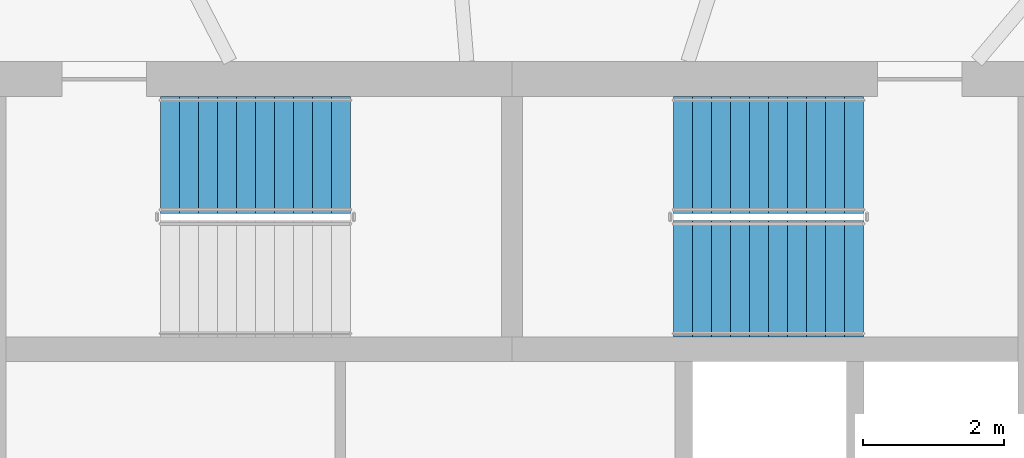
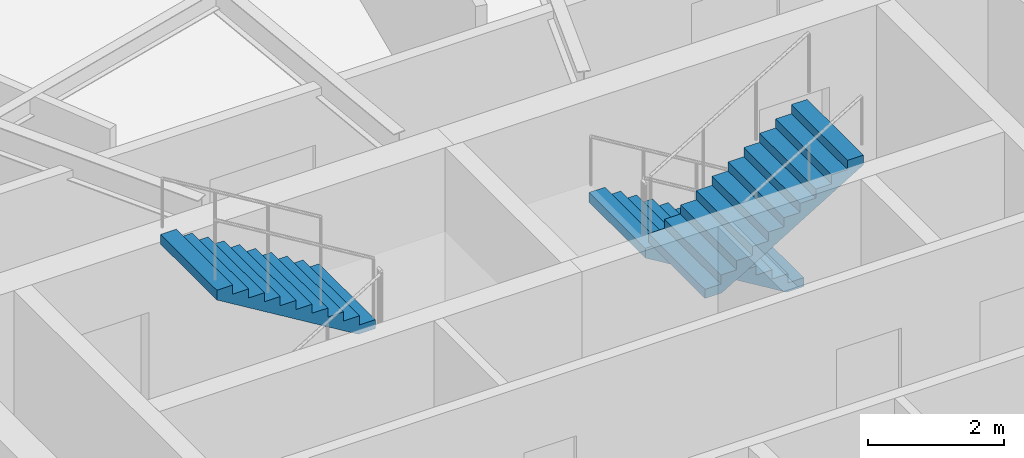
# One storey, part 10 of 13: 3 stair flights, 2 elements without a shape of their own.
"""IFC4 building model written with IfcOpenShell, lengths in metres."""

from ifc_helpers import new_model, si_unit, direction, frame, origin, place, context, subcontext, project, spatial, polyline, outline, extrude, material, type_object, element, aggregate, save


model = new_model("IFC4")

# Units and contexts
model_context = context("Model", 3, precision=1e-05, world=origin(), true_north=direction((0.0, 1.0)))
body_context = subcontext(model_context, "Body", "Model", "MODEL_VIEW")
ifc_project = project(units=[si_unit("LENGTHUNIT", "METRE"), si_unit("AREAUNIT", "SQUARE_METRE"), si_unit("VOLUMEUNIT", "CUBIC_METRE"), si_unit("PLANEANGLEUNIT", "RADIAN"), si_unit("MASSUNIT", "GRAM", prefix="KILO")], contexts=[model_context])

# Site, building, storey
site_placement = place(None, origin())
site = spatial("IfcSite", under=ifc_project, at=site_placement, CompositionType="ELEMENT")
building_placement = place(site_placement, origin())
building = spatial("IfcBuilding", under=site, at=building_placement, Name="Vermilion Reach Broadcast Tower", CompositionType="ELEMENT")
storey_placement = place(building_placement, frame((0.0, 0.0, 297.300048828125)))
storey = spatial("IfcBuildingStorey", under=building, at=storey_placement, Name="L74", CompositionType="ELEMENT", Elevation=297.300048828125)

# Stair, stair flight
ifc_material_1 = material(Name="Concrete C40", Category="concrete")
stair_type = type_object("IfcStairType", Name="Exit stair RC 22 risers 164 mm", PredefinedType="HALF_TURN_STAIR", material=ifc_material_1)
placement = place(storey_placement, origin())
stair_1 = element("IfcStair", 1, at=placement, inside=storey, type_object=stair_type, Name="L74 Exit stair ST1", PredefinedType="HALF_TURN_STAIR")
ifc_material_2 = material(Name="Concrete C40", Category="concrete")
stair_flight_type = type_object("IfcStairFlightType", Name="Exit stair flight RC 11 risers", PredefinedType="STRAIGHT", material=ifc_material_2)
stair_flight_1_placement = place(storey_placement, frame((-8.300048828125, 6.469970703125, 1.800048828125), z_axis=(0.0, 0.0, 1.0), x_axis=(-1.0, 0.0, 0.0)))
stair_flight_1 = element("IfcStairFlight", 2, at=stair_flight_1_placement, type_object=stair_flight_type, Name="ST1 flight 2", NumberOfRisers=11, NumberOfTreads=10, PredefinedType="STRAIGHT", RiserHeight=0.163636364, TreadLength=0.27, context=body_context, shape_type="SweptSolid", body=[
    extrude(outline(polyline([(0.0, 0.0), (0.0, 0.16357421875), (0.27001953125, 0.16357421875), (0.27001953125, 0.327392578125), (0.5400390625, 0.327392578125), (0.5400390625, 0.490966796875), (0.81005859375, 0.490966796875), (0.81005859375, 0.654541015625), (1.080078125, 0.654541015625), (1.080078125, 0.818115234375), (1.35009765625, 0.818115234375), (1.35009765625, 0.98193359375), (1.6201171875, 0.98193359375), (1.6201171875, 1.1455078125), (1.889892578125, 1.1455078125), (1.889892578125, 1.30908203125), (2.159912109375, 1.30908203125), (2.159912109375, 1.47265625), (2.429931640625, 1.47265625), (2.429931640625, 1.636474609375), (2.699951171875, 1.636474609375), (2.699951171875, 1.800048828125), (2.699951171875, 1.461181640625), (0.289306640625, 0.0), (0.0, 0.0)])), frame((0.0, 0.830078125, 0.0), z_axis=(0.0, -1.0, 0.0), x_axis=(1.0, 0.0, 0.0)), (0.0, 0.0, 1.0), 1.659912109375),
])
aggregate(stair_1, [stair_flight_1])

# Stair, stair flights
stair_2 = element("IfcStair", 3, at=placement, inside=storey, type_object=stair_type, Name="L74 Exit stair ST2", PredefinedType="HALF_TURN_STAIR")
stair_flight_2_placement = place(storey_placement, frame((-1.0, 6.469970703125, 0.0), z_axis=(0.0, 0.0, 1.0), x_axis=(-1.0, 0.0, 0.0)))
stair_flight_2 = element("IfcStairFlight", 4, at=stair_flight_2_placement, type_object=stair_flight_type, Name="ST2 flight 1", NumberOfRisers=11, NumberOfTreads=10, PredefinedType="STRAIGHT", RiserHeight=0.163636364, TreadLength=0.27, context=body_context, shape_type="SweptSolid", body=[
    extrude(outline(polyline([(0.0, 0.0), (0.0, 0.16357421875), (0.27001953125, 0.16357421875), (0.27001953125, 0.327392578125), (0.5400390625, 0.327392578125), (0.5400390625, 0.490966796875), (0.81005859375, 0.490966796875), (0.81005859375, 0.654541015625), (1.080078125, 0.654541015625), (1.080078125, 0.818115234375), (1.35009765625, 0.818115234375), (1.35009765625, 0.98193359375), (1.6201171875, 0.98193359375), (1.6201171875, 1.1455078125), (1.889892578125, 1.1455078125), (1.889892578125, 1.30908203125), (2.159912109375, 1.30908203125), (2.159912109375, 1.47265625), (2.429931640625, 1.47265625), (2.429931640625, 1.636474609375), (2.699951171875, 1.636474609375), (2.699951171875, 1.800048828125), (2.699951171875, 1.461181640625), (0.289306640625, 0.0), (0.0, 0.0)])), frame((0.0, 0.830078125, 0.0), z_axis=(0.0, -1.0, 0.0), x_axis=(1.0, 0.0, 0.0)), (0.0, 0.0, 1.0), 1.659912109375),
])
stair_flight_3_placement = place(storey_placement, frame((-3.699951171875, 4.7099609375, 1.800048828125), z_axis=(0.0, 0.0, 1.0), x_axis=(1.0, 0.0, 0.0)))
stair_flight_3 = element("IfcStairFlight", 5, at=stair_flight_3_placement, type_object=stair_flight_type, Name="ST2 flight 2", NumberOfRisers=11, NumberOfTreads=10, PredefinedType="STRAIGHT", RiserHeight=0.163636364, TreadLength=0.27, context=body_context, shape_type="SweptSolid", body=[
    extrude(outline(polyline([(0.0, 0.0), (0.0, 0.16357421875), (0.27001953125, 0.16357421875), (0.27001953125, 0.327392578125), (0.5400390625, 0.327392578125), (0.5400390625, 0.490966796875), (0.81005859375, 0.490966796875), (0.81005859375, 0.654541015625), (1.080078125, 0.654541015625), (1.080078125, 0.818115234375), (1.35009765625, 0.818115234375), (1.35009765625, 0.98193359375), (1.6201171875, 0.98193359375), (1.6201171875, 1.1455078125), (1.889892578125, 1.1455078125), (1.889892578125, 1.30908203125), (2.159912109375, 1.30908203125), (2.159912109375, 1.47265625), (2.429931640625, 1.47265625), (2.429931640625, 1.636474609375), (2.699951171875, 1.636474609375), (2.699951171875, 1.800048828125), (2.699951171875, 1.461181640625), (0.289306640625, 0.0), (0.0, 0.0)])), frame((0.0, 0.830078125, 0.0), z_axis=(0.0, -1.0, 0.0), x_axis=(1.0, 0.0, 0.0)), (0.0, 0.0, 1.0), 1.659912109375),
])
aggregate(stair_2, [stair_flight_2, stair_flight_3])

save(model, "model.ifc")
